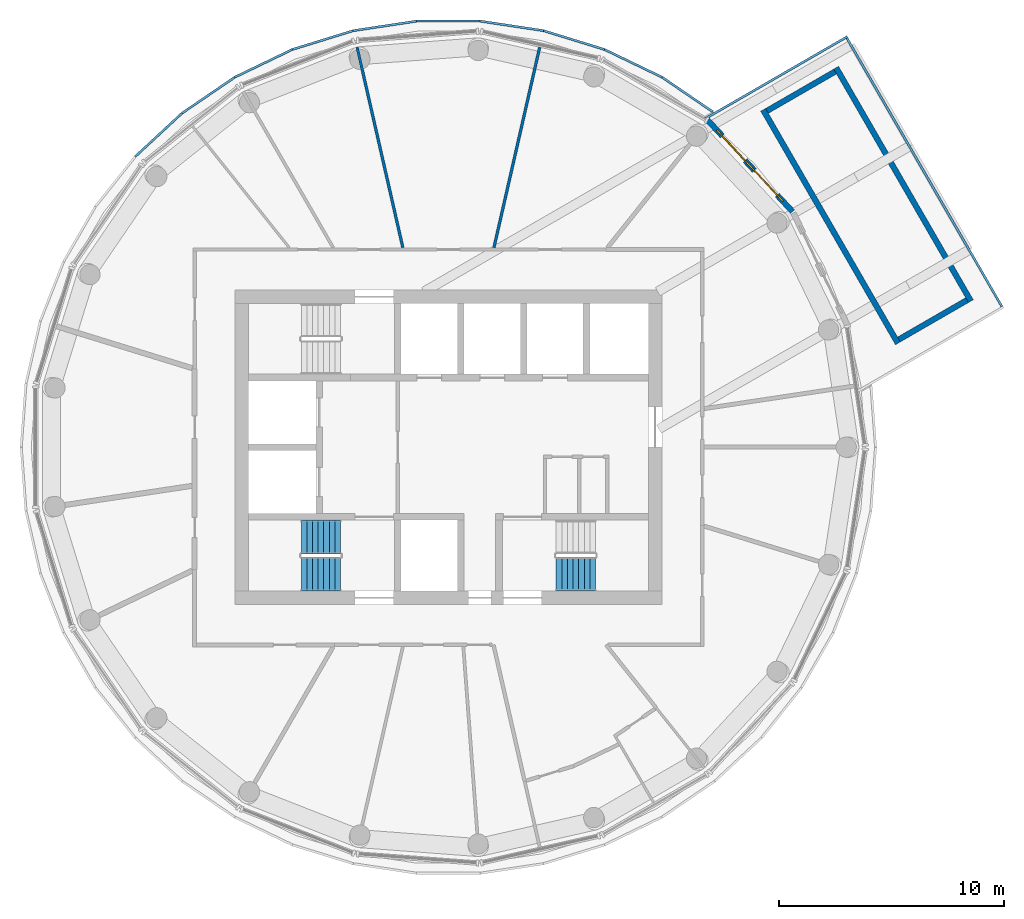
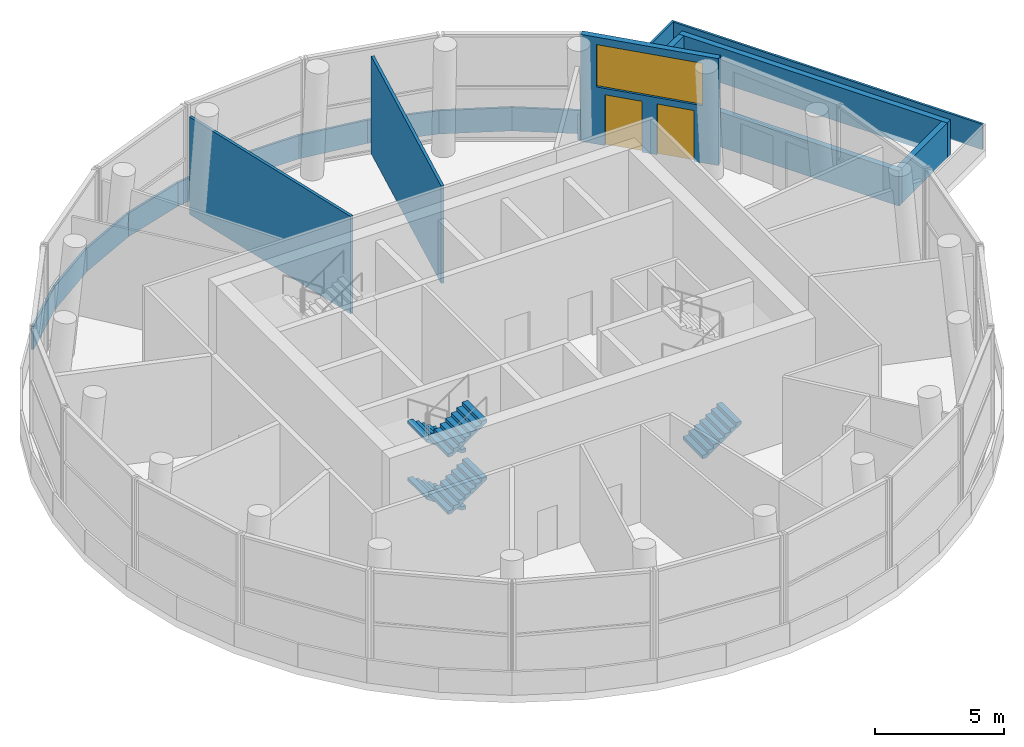
# One storey, part 7 of 10: 19 walls, 5 stair flights, 2 doors, 1 window, 3 openings, 2 elements without a shape of their own.
"""IFC4 building model written with IfcOpenShell, lengths in metres."""

from ifc_helpers import new_model, si_unit, direction, frame, frame_2d, origin, place, context, subcontext, project, spatial, polyline, rectangle, outline, extrude, material, layer, layer_set, type_object, element, fill, aggregate, save


model = new_model("IFC4")

# Units and contexts
model_context = context("Model", 3, precision=1e-05, world=origin(), true_north=direction((0.0, 1.0)))
body_context = subcontext(model_context, "Body", "Model", "MODEL_VIEW")
ifc_project = project(units=[si_unit("LENGTHUNIT", "METRE"), si_unit("AREAUNIT", "SQUARE_METRE"), si_unit("VOLUMEUNIT", "CUBIC_METRE"), si_unit("PLANEANGLEUNIT", "RADIAN"), si_unit("MASSUNIT", "GRAM", prefix="KILO")], contexts=[model_context])

# Site, building, storey
site_placement = place(None, origin())
site = spatial("IfcSite", under=ifc_project, at=site_placement, CompositionType="ELEMENT")
building_placement = place(site_placement, origin())
building = spatial("IfcBuilding", under=site, at=building_placement, Name="Tracery Tower", CompositionType="ELEMENT")
storey_placement = place(building_placement, frame((0.0, 0.0, 341.39990234375)))
storey = spatial("IfcBuildingStorey", under=building, at=storey_placement, Name="L88", CompositionType="ELEMENT", Elevation=341.39990234375)

# Walls
ifc_material_1 = material(Name="Tinted laminated glass", Category="glass")
ifc_layer_1 = layer(ifc_material_1, 0.10009765625)
ifc_layer_set_1 = layer_set([ifc_layer_1], Name="Crown ledge glass parapet 100")
wall_type_1 = type_object("IfcWallType", Name="Crown ledge glass parapet 100", PredefinedType="PARAPET", material=ifc_layer_set_1)
wall_1_placement = place(storey_placement, frame((11.76806640625, 14.934814453125, 0.0), z_axis=(0.0, 0.0, 1.0), x_axis=(-0.826248177246, 0.563306266251, 0.0)))
element("IfcWall", 1, at=wall_1_placement, inside=storey, type_object=wall_type_1, Name="Crown ledge glass parapet L88 7", PredefinedType="PARAPET", context=body_context, shape_type="SweptSolid", body=[
    extrude(rectangle(XDim=2.72705078125, YDim=0.10009765625, at=frame_2d((1.363525390625, 0.0))), origin(), (0.0, 0.0, 1.0), 1.10009765625),
])
wall_2_placement = place(storey_placement, frame((9.5068359375, 16.4755859375, 0.0), z_axis=(0.0, 0.0, 1.0), x_axis=(-0.900963000242, 0.43389592323, 0.0)))
element("IfcWall", 2, at=wall_2_placement, inside=storey, type_object=wall_type_1, Name="Crown ledge glass parapet L88 8", PredefinedType="PARAPET", context=body_context, shape_type="SweptSolid", body=[
    extrude(rectangle(XDim=2.83349609375, YDim=0.10009765625, at=frame_2d((1.416748046875, 0.0))), origin(), (0.0, 0.0, 1.0), 1.10009765625),
])
wall_3_placement = place(storey_placement, frame((6.945068359375, 17.70849609375, 0.0), z_axis=(0.0, 0.0, 1.0), x_axis=(-0.955575728013, 0.294745700616, 0.0)))
element("IfcWall", 3, at=wall_3_placement, inside=storey, type_object=wall_type_1, Name="Crown ledge glass parapet L88 9", PredefinedType="PARAPET", context=body_context, shape_type="SweptSolid", body=[
    extrude(rectangle(XDim=2.833740234375, YDim=0.10009765625, at=frame_2d((1.4169921875, 0.0))), origin(), (0.0, 0.0, 1.0), 1.10009765625),
])
for number, where, z_axis, x_axis, name in (
    (4, (4.22802734375, 18.5458984375, 0.0), (0.0, 0.0, 1.0), (-0.988827380621, 0.149065124475, 0.0), "Crown ledge glass parapet L88 10"),
    (5, (1.416748046875, 18.968994140625, 0.0), (0.0, 0.0, 1.0), (-1.0, 0.0, 0.0), "Crown ledge glass parapet L88 11"),
    (6, (-1.42626953125, 18.96826171875, 0.0), (0.0, 0.0, 1.0), (-0.988827380621, -0.149065124475, 0.0), "Crown ledge glass parapet L88 12"),
):
    element("IfcWall", number, at=place(storey_placement, frame(where, z_axis=z_axis, x_axis=x_axis)), inside=storey, type_object=wall_type_1, Name=name, PredefinedType="PARAPET", context=body_context, shape_type="SweptSolid", body=[
        extrude(rectangle(XDim=2.83349609375, YDim=0.10009765625, at=frame_2d((1.416748046875, 0.0))), origin(), (0.0, 0.0, 1.0), 1.10009765625),
    ])
wall_4_placement = place(storey_placement, frame((-4.2373046875, 18.543701171875, 0.0), z_axis=(0.0, 0.0, 1.0), x_axis=(-0.955575728013, -0.294745700616, 0.0)))
element("IfcWall", 7, at=wall_4_placement, inside=storey, type_object=wall_type_1, Name="Crown ledge glass parapet L88 13", PredefinedType="PARAPET", context=body_context, shape_type="SweptSolid", body=[
    extrude(rectangle(XDim=2.833740234375, YDim=0.10009765625, at=frame_2d((1.4169921875, 0.0))), origin(), (0.0, 0.0, 1.0), 1.10009765625),
])
wall_5_placement = place(storey_placement, frame((-6.953857421875, 17.705078125, 0.0), z_axis=(0.0, 0.0, 1.0), x_axis=(-0.900963000242, -0.43389592323, 0.0)))
element("IfcWall", 8, at=wall_5_placement, inside=storey, type_object=wall_type_1, Name="Crown ledge glass parapet L88 14", PredefinedType="PARAPET", context=body_context, shape_type="SweptSolid", body=[
    extrude(rectangle(XDim=2.83349609375, YDim=0.10009765625, at=frame_2d((1.416748046875, 0.0))), origin(), (0.0, 0.0, 1.0), 1.10009765625),
])
for number, where, z_axis, x_axis, name in (
    (9, (-9.514892578125, 16.470947265625, 0.0), (0.0, 0.0, 1.0), (-0.826252861182, -0.563299395871, 0.0), "Crown ledge glass parapet L88 15"),
    (10, (-11.863525390625, 14.868896484375, 0.0), (0.0, 0.0, 1.0), (-0.733020526628, -0.680206518303, 0.0), "Crown ledge glass parapet L88 16"),
):
    element("IfcWall", number, at=place(storey_placement, frame(where, z_axis=z_axis, x_axis=x_axis)), inside=storey, type_object=wall_type_1, Name=name, PredefinedType="PARAPET", context=body_context, shape_type="SweptSolid", body=[
        extrude(rectangle(XDim=2.833740234375, YDim=0.10009765625, at=frame_2d((1.4169921875, 0.0))), origin(), (0.0, 0.0, 1.0), 1.10009765625),
    ])

# Wall, openings, window, doors
ifc_material_2 = material(Name="Precast concrete C50/60", Category="concrete")
ifc_layer_2 = layer(ifc_material_2, 0.25)
ifc_layer_set_2 = layer_set([ifc_layer_2], Name="Pool deck door bay wall 250")
wall_type_2 = type_object("IfcWallType", Name="Pool deck door bay wall 250", PredefinedType="STANDARD", material=ifc_layer_set_2)
wall_6_placement = place(storey_placement, frame((15.31787109375, 10.491455078125, 0.0), z_axis=(0.0, 0.0, 1.0), x_axis=(-0.680192893744, 0.733033169304, 0.0)))
wall_6 = element("IfcWall", 11, at=wall_6_placement, inside=storey, type_object=wall_type_2, Name="Pool deck door bay 3", PredefinedType="STANDARD", context=body_context, shape_type="SweptSolid", body=[
    extrude(rectangle(XDim=5.5859375, YDim=0.25, at=frame_2d((2.79296875, 0.0))), origin(), (0.0, 0.0, 1.0), 5.050048828125),
])
opening_1_placement = place(wall_6_placement, frame((0.992919921875, 0.0, 0.0)))
opening_1 = element("IfcOpeningElement", 12, at=opening_1_placement, cuts=wall_6, Name="Opening ED923", PredefinedType="OPENING", context=body_context, shape_type="SweptSolid", body=[
    extrude(rectangle(XDim=1.5, YDim=2.39990234375, at=frame_2d((0.75, 1.199951171875))), frame((0.0, 0.125, 0.0), z_axis=(0.0, -1.0, 0.0), x_axis=(1.0, 0.0, 0.0)), (0.0, 0.0, 1.0), 0.25),
])
opening_2_placement = place(wall_6_placement, frame((3.093017578125, 0.0, 0.0)))
opening_2 = element("IfcOpeningElement", 13, at=opening_2_placement, cuts=wall_6, Name="Opening ED924", PredefinedType="OPENING", context=body_context, shape_type="SweptSolid", body=[
    extrude(rectangle(XDim=1.5, YDim=2.39990234375, at=frame_2d((0.75, 1.199951171875))), frame((0.0, 0.125, 0.0), z_axis=(0.0, -1.0, 0.0), x_axis=(1.0, 0.0, 0.0)), (0.0, 0.0, 1.0), 0.25),
])
opening_3_placement = place(wall_6_placement, frame((0.64306640625, 0.0, 2.699951171875)))
opening_3 = element("IfcOpeningElement", 14, at=opening_3_placement, cuts=wall_6, Name="Opening EW822", PredefinedType="OPENING", context=body_context, shape_type="SweptSolid", body=[
    extrude(rectangle(XDim=4.300048828125, YDim=2.0, at=frame_2d((2.14990234375, 1.0))), frame((0.0, 0.125, 0.0), z_axis=(0.0, -1.0, 0.0), x_axis=(1.0, 0.0, 0.0)), (0.0, 0.0, 1.0), 0.25),
])
ifc_material_3 = material(Name="Aluminium frame with tinted double glazing", Category="aluminium")
window_type = type_object("IfcWindowType", Name="Pool bay glazed light 4300 x 2000", PartitioningType="SINGLE_PANEL", PredefinedType="WINDOW", material=ifc_material_3)
window_placement = place(opening_3_placement, origin())
window = element("IfcWindow", 15, at=window_placement, inside=storey, type_object=window_type, Name="Pool bay light EW822", OverallHeight=2.0, OverallWidth=4.300048828125, PartitioningType="SINGLE_PANEL", PredefinedType="WINDOW", context=body_context, shape_type="SweptSolid", body=[
    extrude(rectangle(XDim=4.300048828125, YDim=2.0, at=frame_2d((2.14990234375, 1.0))), frame((0.0, 0.030029296875, 0.0), z_axis=(0.0, -1.0, 0.0), x_axis=(1.0, 0.0, 0.0)), (0.0, 0.0, 1.0), 0.06005859375),
])
fill(opening_3, window)
ifc_material_4 = material(Name="Glazed aluminium door", Category="aluminium")
door_type = type_object("IfcDoorType", Name="Pool deck door 1500 x 2400", OperationType="NOTDEFINED", PredefinedType="DOOR", material=ifc_material_4)
door_1_placement = place(opening_1_placement, origin())
door_1 = element("IfcDoor", 16, at=door_1_placement, inside=storey, type_object=door_type, Name="Pool deck door ED923", OperationType="SLIDING_TO_LEFT", OverallHeight=2.39990234375, OverallWidth=1.5, PredefinedType="DOOR", context=body_context, shape_type="SweptSolid", body=[
    extrude(rectangle(XDim=1.5, YDim=2.39990234375, at=frame_2d((0.75, 1.199951171875))), frame((0.0, 0.02490234375, 0.0), z_axis=(0.0, -1.0, 0.0), x_axis=(1.0, 0.0, 0.0)), (0.0, 0.0, 1.0), 0.050048828125),
])
fill(opening_1, door_1)
door_2_placement = place(opening_2_placement, origin())
door_2 = element("IfcDoor", 17, at=door_2_placement, inside=storey, type_object=door_type, Name="Pool deck door ED924", OperationType="SLIDING_TO_RIGHT", OverallHeight=2.39990234375, OverallWidth=1.5, PredefinedType="DOOR", context=body_context, shape_type="SweptSolid", body=[
    extrude(rectangle(XDim=1.5, YDim=2.39990234375, at=frame_2d((0.75, 1.199951171875))), frame((0.0, 0.02490234375, 0.0), z_axis=(0.0, -1.0, 0.0), x_axis=(1.0, 0.0, 0.0)), (0.0, 0.0, 1.0), 0.050048828125),
])
fill(opening_2, door_2)

# Walls
ifc_material_5 = material(Name="Tinted laminated glass", Category="glass")
ifc_layer_3 = layer(ifc_material_5, 0.10009765625)
ifc_layer_set_3 = layer_set([ifc_layer_3], Name="Pool deck glass parapet 100")
wall_type_3 = type_object("IfcWallType", Name="Pool deck glass parapet 100", PredefinedType="PARAPET", material=ifc_layer_set_3)
wall_7_placement = place(storey_placement, frame((11.414794921875, 14.615478515625, 0.0), z_axis=(0.0, 0.0, 1.0), x_axis=(0.866024117471, 0.500002227954, 0.0)))
element("IfcWall", 18, at=wall_7_placement, inside=storey, type_object=wall_type_3, Name="Pool deck glass parapet 2", PredefinedType="PARAPET", context=body_context, shape_type="SweptSolid", body=[
    extrude(rectangle(XDim=7.3271484375, YDim=0.10009765625, at=frame_2d((3.66357421875, 0.0))), origin(), (0.0, 0.0, 1.0), 1.2001953125),
])
wall_8_placement = place(storey_placement, frame((24.641845703125, 6.259521484375, 0.0), z_axis=(0.0, 0.0, 1.0), x_axis=(-0.499994024137, 0.866028853923, 0.0)))
element("IfcWall", 19, at=wall_8_placement, inside=storey, type_object=wall_type_3, Name="Pool deck glass parapet 3", PredefinedType="PARAPET", context=body_context, shape_type="SweptSolid", body=[
    extrude(rectangle(XDim=13.800048828125, YDim=0.10009765625, at=frame_2d((6.89990234375, 0.0))), origin(), (0.0, 0.0, 1.0), 1.2001953125),
])
ifc_material_6 = material(Name="Concrete C40/50", Category="concrete")
ifc_layer_4 = layer(ifc_material_6, 0.25)
ifc_layer_set_4 = layer_set([ifc_layer_4], Name="Pool tank wall 250")
wall_type_4 = type_object("IfcWallType", Name="Pool tank wall 250", PredefinedType="STANDARD", material=ifc_layer_set_4)
for number, where, z_axis, x_axis, name in (
    (20, (20.01318359375, 4.62646484375, 0.0), (0.0, 0.0, 1.0), (-0.49999894854, 0.866026010844, 0.0), "Pool tank wall inner"),
    (21, (23.260986328125, 6.50146484375, 0.0), (0.0, 0.0, 1.0), (-0.49999894854, 0.866026010844, 0.0), "Pool tank wall outer"),
):
    element("IfcWall", number, at=place(storey_placement, frame(where, z_axis=z_axis, x_axis=x_axis)), inside=storey, type_object=wall_type_4, Name=name, PredefinedType="STANDARD", context=body_context, shape_type="SweptSolid", body=[
        extrude(rectangle(XDim=12.0, YDim=0.25, at=frame_2d((6.0, 0.0))), origin(), (0.0, 0.0, 1.0), 1.650146484375),
    ])
for number, where, z_axis, x_axis, name in (
    (22, (20.05908203125, 4.797119140625, 0.0), (0.0, 0.0, 1.0), (0.866019471182, 0.500010275428, 0.0), "Pool tank wall end 1"),
    (23, (14.18408203125, 14.972900390625, 0.0), (0.0, 0.0, 1.0), (0.866019471182, 0.500010275428, 0.0), "Pool tank wall end 2"),
):
    element("IfcWall", number, at=place(storey_placement, frame(where, z_axis=z_axis, x_axis=x_axis)), inside=storey, type_object=wall_type_4, Name=name, PredefinedType="STANDARD", context=body_context, shape_type="SweptSolid", body=[
        extrude(rectangle(XDim=3.5, YDim=0.25, at=frame_2d((1.75, 0.0))), origin(), (0.0, 0.0, 1.0), 1.650146484375),
    ])
ifc_material_7 = material(Name="Plasterboard on steel studs", Category="steel")
ifc_layer_5 = layer(ifc_material_7, 0.125)
ifc_layer_set_5 = layer_set([ifc_layer_5], Name="Wet area partition 125")
wall_type_5 = type_object("IfcWallType", Name="Wet area partition 125", PredefinedType="PARTITIONING", material=ifc_layer_set_5)
for number, where, z_axis, x_axis, name in (
    (24, (-4.06591796875, 17.813232421875, 0.0), (0.0, 0.0, 1.0), (0.222556326308, -0.974919833433, 0.0), "Wet area partition 125"),
    (25, (4.06591796875, 17.813232421875, 0.0), (0.0, 0.0, 1.0), (-0.222556326308, -0.974919833433, 0.0), "Wet area partition 125"),
):
    element("IfcWall", number, at=place(storey_placement, frame(where, z_axis=z_axis, x_axis=x_axis)), inside=storey, type_object=wall_type_5, Name=name, PredefinedType="PARTITIONING", context=body_context, shape_type="SweptSolid", body=[
        extrude(rectangle(XDim=9.160888671875, YDim=0.125, at=frame_2d((4.58056640625, 0.0))), origin(), (0.0, 0.0, 1.0), 4.60009765625),
    ])

# Stair, stair flights
ifc_material_8 = material(Name="Concrete C32/40", Category="concrete")
stair_type = type_object("IfcStairType", Name="Core stair 32 risers", PredefinedType="HALF_TURN_STAIR", material=ifc_material_8)
stair_1_placement = place(storey_placement, origin())
stair_1 = element("IfcStair", 26, at=stair_1_placement, inside=storey, type_object=stair_type, Name="L88 stair ST1", PredefinedType="HALF_TURN_STAIR")
ifc_material_9 = material(Name="Concrete C32/40", Category="concrete")
stair_flight_type = type_object("IfcStairFlightType", Name="Core stair flight 8 risers", PredefinedType="STRAIGHT", material=ifc_material_9)
stair_flight_1_placement = place(storey_placement, frame((-4.800048828125, -4.0, 0.0), z_axis=(0.0, 0.0, 1.0), x_axis=(-1.0, 0.0, 0.0)))
stair_flight_1 = element("IfcStairFlight", 27, at=stair_flight_1_placement, type_object=stair_flight_type, Name="ST1 flight 1", NumberOfRisers=8, NumberOfTreads=7, PredefinedType="STRAIGHT", RiserHeight=0.16875, TreadLength=0.25, context=body_context, shape_type="SweptSolid", body=[
    extrude(outline(polyline([(0.0, 0.0), (0.0, 0.002685546875), (0.0, 0.005615234375), (0.0, 0.00830078125), (0.0, 0.010986328125), (0.0, 0.013916015625), (0.0, 0.0166015625), (0.0, 0.019287109375), (0.0, 0.022216796875), (0.0, 0.02490234375), (0.0, 0.027587890625), (0.0, 0.030517578125), (0.0, 0.033203125), (0.0, 0.035888671875), (0.0, 0.038818359375), (0.0, 0.04150390625), (0.0, 0.044189453125), (0.0, 0.047119140625), (0.0, 0.0498046875), (0.0, 0.052490234375), (0.0, 0.055419921875), (0.0, 0.05810546875), (0.0, 0.060791015625), (0.0, 0.063720703125), (0.0, 0.06640625), (0.0, 0.069091796875), (0.0, 0.072021484375), (0.0, 0.07470703125), (0.0, 0.077392578125), (0.0, 0.080322265625), (0.0, 0.0830078125), (0.0, 0.085693359375), (0.0, 0.088623046875), (0.0, 0.09130859375), (0.0, 0.093994140625), (0.0, 0.096923828125), (0.0, 0.099609375), (0.0, 0.102294921875), (0.0, 0.105224609375), (0.0, 0.10791015625), (0.0, 0.110595703125), (0.0, 0.113525390625), (0.0, 0.1162109375), (0.0, 0.118896484375), (0.0, 0.121826171875), (0.0, 0.12451171875), (0.0, 0.127197265625), (0.0, 0.130126953125), (0.0, 0.1328125), (0.0, 0.135498046875), (0.0, 0.138427734375), (0.0, 0.14111328125), (0.0, 0.143798828125), (0.0, 0.146728515625), (0.0, 0.1494140625), (0.0, 0.152099609375), (0.0, 0.155029296875), (0.0, 0.15771484375), (0.0, 0.160400390625), (0.0, 0.163330078125), (0.0, 0.166015625), (0.0, 0.168701171875), (0.25, 0.168701171875), (0.25, 0.33740234375), (0.5, 0.33740234375), (0.5, 0.50634765625), (0.75, 0.50634765625), (0.75, 0.675048828125), (1.0, 0.675048828125), (1.0, 0.84375), (1.25, 0.84375), (1.25, 1.012451171875), (1.5, 1.012451171875), (1.5, 1.18115234375), (1.75, 1.18115234375), (1.75, 1.17919921875), (1.75, 1.17724609375), (1.75, 1.17529296875), (1.75, 1.17333984375), (1.75, 1.17138671875), (1.75, 1.16943359375), (1.75, 1.16748046875), (1.75, 1.16552734375), (1.75, 1.163330078125), (1.75, 1.161376953125), (1.75, 1.159423828125), (1.75, 1.157470703125), (1.75, 1.155517578125), (1.75, 1.153564453125), (1.75, 1.151611328125), (1.75, 1.149658203125), (1.75, 1.147705078125), (1.75, 1.1455078125), (1.75, 1.1435546875), (1.75, 1.1416015625), (1.75, 1.1396484375), (1.75, 1.1376953125), (1.75, 1.1357421875), (1.75, 1.1337890625), (1.75, 1.1318359375), (1.75, 1.1298828125), (1.75, 1.127685546875), (1.75, 1.125732421875), (1.75, 1.123779296875), (1.75, 1.121826171875), (1.75, 1.119873046875), (1.75, 1.117919921875), (1.75, 1.115966796875), (1.75, 1.114013671875), (1.75, 1.112060546875), (1.75, 1.10986328125), (1.75, 1.10791015625), (1.75, 1.10595703125), (1.75, 1.10400390625), (1.75, 1.10205078125), (1.75, 1.10009765625), (1.75, 1.09814453125), (1.75, 1.09619140625), (1.75, 1.09423828125), (1.75, 1.092041015625), (1.75, 1.090087890625), (1.75, 1.088134765625), (1.75, 1.086181640625), (1.75, 1.084228515625), (1.75, 1.082275390625), (1.75, 1.080322265625), (1.75, 1.078369140625), (1.75, 1.076416015625), (1.75, 1.074462890625), (1.75, 1.072265625), (1.75, 1.0703125), (1.75, 1.068359375), (1.75, 1.06640625), (1.75, 1.064453125), (1.75, 1.0625), (1.75, 1.060546875), (0.178955078125, 0.0), (0.0, 0.0)])), frame((0.0, 0.75, 0.0), z_axis=(0.0, -1.0, 0.0), x_axis=(1.0, 0.0, 0.0)), (0.0, 0.0, 1.0), 1.5),
])
stair_flight_2_placement = place(storey_placement, frame((-6.550048828125, -5.64990234375, 1.35009765625), z_axis=(0.0, 0.0, 1.0), x_axis=(1.0, 0.0, 0.0)))
stair_flight_2 = element("IfcStairFlight", 28, at=stair_flight_2_placement, type_object=stair_flight_type, Name="ST1 flight 2", NumberOfRisers=8, NumberOfTreads=7, PredefinedType="STRAIGHT", RiserHeight=0.16875, TreadLength=0.25, context=body_context, shape_type="SweptSolid", body=[
    extrude(outline(polyline([(0.0, 0.0), (0.0, 0.002685546875), (0.0, 0.005615234375), (0.0, 0.00830078125), (0.0, 0.010986328125), (0.0, 0.013916015625), (0.0, 0.0166015625), (0.0, 0.019287109375), (0.0, 0.022216796875), (0.0, 0.02490234375), (0.0, 0.027587890625), (0.0, 0.030517578125), (0.0, 0.033203125), (0.0, 0.035888671875), (0.0, 0.038818359375), (0.0, 0.04150390625), (0.0, 0.044189453125), (0.0, 0.047119140625), (0.0, 0.0498046875), (0.0, 0.052490234375), (0.0, 0.055419921875), (0.0, 0.05810546875), (0.0, 0.060791015625), (0.0, 0.063720703125), (0.0, 0.06640625), (0.0, 0.069091796875), (0.0, 0.072021484375), (0.0, 0.07470703125), (0.0, 0.077392578125), (0.0, 0.080322265625), (0.0, 0.0830078125), (0.0, 0.085693359375), (0.0, 0.088623046875), (0.0, 0.09130859375), (0.0, 0.093994140625), (0.0, 0.096923828125), (0.0, 0.099609375), (0.0, 0.102294921875), (0.0, 0.105224609375), (0.0, 0.10791015625), (0.0, 0.110595703125), (0.0, 0.113525390625), (0.0, 0.1162109375), (0.0, 0.118896484375), (0.0, 0.121826171875), (0.0, 0.12451171875), (0.0, 0.127197265625), (0.0, 0.130126953125), (0.0, 0.1328125), (0.0, 0.135498046875), (0.0, 0.138427734375), (0.0, 0.14111328125), (0.0, 0.143798828125), (0.0, 0.146728515625), (0.0, 0.1494140625), (0.0, 0.152099609375), (0.0, 0.155029296875), (0.0, 0.15771484375), (0.0, 0.160400390625), (0.0, 0.163330078125), (0.0, 0.166015625), (0.0, 0.168701171875), (0.25, 0.168701171875), (0.25, 0.33740234375), (0.5, 0.33740234375), (0.5, 0.50634765625), (0.75, 0.50634765625), (0.75, 0.675048828125), (1.0, 0.675048828125), (1.0, 0.84375), (1.25, 0.84375), (1.25, 1.012451171875), (1.5, 1.012451171875), (1.5, 1.18115234375), (1.75, 1.18115234375), (1.75, 1.17919921875), (1.75, 1.17724609375), (1.75, 1.17529296875), (1.75, 1.17333984375), (1.75, 1.17138671875), (1.75, 1.16943359375), (1.75, 1.16748046875), (1.75, 1.16552734375), (1.75, 1.163330078125), (1.75, 1.161376953125), (1.75, 1.159423828125), (1.75, 1.157470703125), (1.75, 1.155517578125), (1.75, 1.153564453125), (1.75, 1.151611328125), (1.75, 1.149658203125), (1.75, 1.147705078125), (1.75, 1.1455078125), (1.75, 1.1435546875), (1.75, 1.1416015625), (1.75, 1.1396484375), (1.75, 1.1376953125), (1.75, 1.1357421875), (1.75, 1.1337890625), (1.75, 1.1318359375), (1.75, 1.1298828125), (1.75, 1.127685546875), (1.75, 1.125732421875), (1.75, 1.123779296875), (1.75, 1.121826171875), (1.75, 1.119873046875), (1.75, 1.117919921875), (1.75, 1.115966796875), (1.75, 1.114013671875), (1.75, 1.112060546875), (1.75, 1.10986328125), (1.75, 1.10791015625), (1.75, 1.10595703125), (1.75, 1.10400390625), (1.75, 1.10205078125), (1.75, 1.10009765625), (1.75, 1.09814453125), (1.75, 1.09619140625), (1.75, 1.09423828125), (1.75, 1.092041015625), (1.75, 1.090087890625), (1.75, 1.088134765625), (1.75, 1.086181640625), (1.75, 1.084228515625), (1.75, 1.082275390625), (1.75, 1.080322265625), (1.75, 1.078369140625), (1.75, 1.076416015625), (1.75, 1.074462890625), (1.75, 1.072265625), (1.75, 1.0703125), (1.75, 1.068359375), (1.75, 1.06640625), (1.75, 1.064453125), (1.75, 1.0625), (1.75, 1.060546875), (0.178955078125, 0.0), (0.0, 0.0)])), frame((0.0, 0.75, 0.0), z_axis=(0.0, -1.0, 0.0), x_axis=(1.0, 0.0, 0.0)), (0.0, 0.0, 1.0), 1.5),
])
stair_flight_3_placement = place(storey_placement, frame((-4.800048828125, -4.0, 2.7001953125), z_axis=(0.0, 0.0, 1.0), x_axis=(-1.0, 0.0, 0.0)))
stair_flight_3 = element("IfcStairFlight", 29, at=stair_flight_3_placement, type_object=stair_flight_type, Name="ST1 flight 3", NumberOfRisers=8, NumberOfTreads=7, PredefinedType="STRAIGHT", RiserHeight=0.16875, TreadLength=0.25, context=body_context, shape_type="SweptSolid", body=[
    extrude(outline(polyline([(0.0, 0.0), (0.0, 0.002685546875), (0.0, 0.005615234375), (0.0, 0.00830078125), (0.0, 0.010986328125), (0.0, 0.013916015625), (0.0, 0.0166015625), (0.0, 0.019287109375), (0.0, 0.022216796875), (0.0, 0.02490234375), (0.0, 0.027587890625), (0.0, 0.030517578125), (0.0, 0.033203125), (0.0, 0.035888671875), (0.0, 0.038818359375), (0.0, 0.04150390625), (0.0, 0.044189453125), (0.0, 0.047119140625), (0.0, 0.0498046875), (0.0, 0.052490234375), (0.0, 0.055419921875), (0.0, 0.05810546875), (0.0, 0.060791015625), (0.0, 0.063720703125), (0.0, 0.06640625), (0.0, 0.069091796875), (0.0, 0.072021484375), (0.0, 0.07470703125), (0.0, 0.077392578125), (0.0, 0.080322265625), (0.0, 0.0830078125), (0.0, 0.085693359375), (0.0, 0.088623046875), (0.0, 0.09130859375), (0.0, 0.093994140625), (0.0, 0.096923828125), (0.0, 0.099609375), (0.0, 0.102294921875), (0.0, 0.105224609375), (0.0, 0.10791015625), (0.0, 0.110595703125), (0.0, 0.113525390625), (0.0, 0.1162109375), (0.0, 0.118896484375), (0.0, 0.121826171875), (0.0, 0.12451171875), (0.0, 0.127197265625), (0.0, 0.130126953125), (0.0, 0.1328125), (0.0, 0.135498046875), (0.0, 0.138427734375), (0.0, 0.14111328125), (0.0, 0.143798828125), (0.0, 0.146728515625), (0.0, 0.1494140625), (0.0, 0.152099609375), (0.0, 0.155029296875), (0.0, 0.15771484375), (0.0, 0.160400390625), (0.0, 0.163330078125), (0.0, 0.166015625), (0.0, 0.168701171875), (0.25, 0.168701171875), (0.25, 0.33740234375), (0.5, 0.33740234375), (0.5, 0.50634765625), (0.75, 0.50634765625), (0.75, 0.675048828125), (1.0, 0.675048828125), (1.0, 0.84375), (1.25, 0.84375), (1.25, 1.012451171875), (1.5, 1.012451171875), (1.5, 1.18115234375), (1.75, 1.18115234375), (1.75, 1.17919921875), (1.75, 1.17724609375), (1.75, 1.17529296875), (1.75, 1.17333984375), (1.75, 1.17138671875), (1.75, 1.16943359375), (1.75, 1.16748046875), (1.75, 1.16552734375), (1.75, 1.163330078125), (1.75, 1.161376953125), (1.75, 1.159423828125), (1.75, 1.157470703125), (1.75, 1.155517578125), (1.75, 1.153564453125), (1.75, 1.151611328125), (1.75, 1.149658203125), (1.75, 1.147705078125), (1.75, 1.1455078125), (1.75, 1.1435546875), (1.75, 1.1416015625), (1.75, 1.1396484375), (1.75, 1.1376953125), (1.75, 1.1357421875), (1.75, 1.1337890625), (1.75, 1.1318359375), (1.75, 1.1298828125), (1.75, 1.127685546875), (1.75, 1.125732421875), (1.75, 1.123779296875), (1.75, 1.121826171875), (1.75, 1.119873046875), (1.75, 1.117919921875), (1.75, 1.115966796875), (1.75, 1.114013671875), (1.75, 1.112060546875), (1.75, 1.10986328125), (1.75, 1.10791015625), (1.75, 1.10595703125), (1.75, 1.10400390625), (1.75, 1.10205078125), (1.75, 1.10009765625), (1.75, 1.09814453125), (1.75, 1.09619140625), (1.75, 1.09423828125), (1.75, 1.092041015625), (1.75, 1.090087890625), (1.75, 1.088134765625), (1.75, 1.086181640625), (1.75, 1.084228515625), (1.75, 1.082275390625), (1.75, 1.080322265625), (1.75, 1.078369140625), (1.75, 1.076416015625), (1.75, 1.074462890625), (1.75, 1.072265625), (1.75, 1.0703125), (1.75, 1.068359375), (1.75, 1.06640625), (1.75, 1.064453125), (1.75, 1.0625), (1.75, 1.060546875), (0.178955078125, 0.0), (0.0, 0.0)])), frame((0.0, 0.75, 0.0), z_axis=(0.0, -1.0, 0.0), x_axis=(1.0, 0.0, 0.0)), (0.0, 0.0, 1.0), 1.5),
])
stair_flight_4_placement = place(storey_placement, frame((-6.550048828125, -5.64990234375, 4.050048828125), z_axis=(0.0, 0.0, 1.0), x_axis=(1.0, 0.0, 0.0)))
stair_flight_4 = element("IfcStairFlight", 30, at=stair_flight_4_placement, type_object=stair_flight_type, Name="ST1 flight 4", NumberOfRisers=8, NumberOfTreads=7, PredefinedType="STRAIGHT", RiserHeight=0.16875, TreadLength=0.25, context=body_context, shape_type="SweptSolid", body=[
    extrude(outline(polyline([(0.0, 0.0), (0.0, 0.002685546875), (0.0, 0.005615234375), (0.0, 0.00830078125), (0.0, 0.010986328125), (0.0, 0.013916015625), (0.0, 0.0166015625), (0.0, 0.019287109375), (0.0, 0.022216796875), (0.0, 0.02490234375), (0.0, 0.027587890625), (0.0, 0.030517578125), (0.0, 0.033203125), (0.0, 0.035888671875), (0.0, 0.038818359375), (0.0, 0.04150390625), (0.0, 0.044189453125), (0.0, 0.047119140625), (0.0, 0.0498046875), (0.0, 0.052490234375), (0.0, 0.055419921875), (0.0, 0.05810546875), (0.0, 0.060791015625), (0.0, 0.063720703125), (0.0, 0.06640625), (0.0, 0.069091796875), (0.0, 0.072021484375), (0.0, 0.07470703125), (0.0, 0.077392578125), (0.0, 0.080322265625), (0.0, 0.0830078125), (0.0, 0.085693359375), (0.0, 0.088623046875), (0.0, 0.09130859375), (0.0, 0.093994140625), (0.0, 0.096923828125), (0.0, 0.099609375), (0.0, 0.102294921875), (0.0, 0.105224609375), (0.0, 0.10791015625), (0.0, 0.110595703125), (0.0, 0.113525390625), (0.0, 0.1162109375), (0.0, 0.118896484375), (0.0, 0.121826171875), (0.0, 0.12451171875), (0.0, 0.127197265625), (0.0, 0.130126953125), (0.0, 0.1328125), (0.0, 0.135498046875), (0.0, 0.138427734375), (0.0, 0.14111328125), (0.0, 0.143798828125), (0.0, 0.146728515625), (0.0, 0.1494140625), (0.0, 0.152099609375), (0.0, 0.155029296875), (0.0, 0.15771484375), (0.0, 0.160400390625), (0.0, 0.163330078125), (0.0, 0.166015625), (0.0, 0.168701171875), (0.25, 0.168701171875), (0.25, 0.33740234375), (0.5, 0.33740234375), (0.5, 0.50634765625), (0.75, 0.50634765625), (0.75, 0.675048828125), (1.0, 0.675048828125), (1.0, 0.84375), (1.25, 0.84375), (1.25, 1.012451171875), (1.5, 1.012451171875), (1.5, 1.18115234375), (1.75, 1.18115234375), (1.75, 1.17919921875), (1.75, 1.17724609375), (1.75, 1.17529296875), (1.75, 1.17333984375), (1.75, 1.17138671875), (1.75, 1.16943359375), (1.75, 1.16748046875), (1.75, 1.16552734375), (1.75, 1.163330078125), (1.75, 1.161376953125), (1.75, 1.159423828125), (1.75, 1.157470703125), (1.75, 1.155517578125), (1.75, 1.153564453125), (1.75, 1.151611328125), (1.75, 1.149658203125), (1.75, 1.147705078125), (1.75, 1.1455078125), (1.75, 1.1435546875), (1.75, 1.1416015625), (1.75, 1.1396484375), (1.75, 1.1376953125), (1.75, 1.1357421875), (1.75, 1.1337890625), (1.75, 1.1318359375), (1.75, 1.1298828125), (1.75, 1.127685546875), (1.75, 1.125732421875), (1.75, 1.123779296875), (1.75, 1.121826171875), (1.75, 1.119873046875), (1.75, 1.117919921875), (1.75, 1.115966796875), (1.75, 1.114013671875), (1.75, 1.112060546875), (1.75, 1.10986328125), (1.75, 1.10791015625), (1.75, 1.10595703125), (1.75, 1.10400390625), (1.75, 1.10205078125), (1.75, 1.10009765625), (1.75, 1.09814453125), (1.75, 1.09619140625), (1.75, 1.09423828125), (1.75, 1.092041015625), (1.75, 1.090087890625), (1.75, 1.088134765625), (1.75, 1.086181640625), (1.75, 1.084228515625), (1.75, 1.082275390625), (1.75, 1.080322265625), (1.75, 1.078369140625), (1.75, 1.076416015625), (1.75, 1.074462890625), (1.75, 1.072265625), (1.75, 1.0703125), (1.75, 1.068359375), (1.75, 1.06640625), (1.75, 1.064453125), (1.75, 1.0625), (1.75, 1.060546875), (0.178955078125, 0.0), (0.0, 0.0)])), frame((0.0, 0.75, 0.0), z_axis=(0.0, -1.0, 0.0), x_axis=(1.0, 0.0, 0.0)), (0.0, 0.0, 1.0), 1.5),
])
aggregate(stair_1, [stair_flight_1, stair_flight_2, stair_flight_3, stair_flight_4])

# Stair, stair flight
stair_2_placement = place(storey_placement, origin())
stair_2 = element("IfcStair", 31, at=stair_2_placement, inside=storey, type_object=stair_type, Name="L88 stair ST2", PredefinedType="HALF_TURN_STAIR")
stair_flight_5_placement = place(storey_placement, frame((4.800048828125, -5.64990234375, 0.0), z_axis=(0.0, 0.0, 1.0), x_axis=(1.0, 0.0, 0.0)))
stair_flight_5 = element("IfcStairFlight", 32, at=stair_flight_5_placement, type_object=stair_flight_type, Name="ST2 flight 1", NumberOfRisers=8, NumberOfTreads=7, PredefinedType="STRAIGHT", RiserHeight=0.16875, TreadLength=0.25, context=body_context, shape_type="SweptSolid", body=[
    extrude(outline(polyline([(0.0, 0.0), (0.0, 0.002685546875), (0.0, 0.005615234375), (0.0, 0.00830078125), (0.0, 0.010986328125), (0.0, 0.013916015625), (0.0, 0.0166015625), (0.0, 0.019287109375), (0.0, 0.022216796875), (0.0, 0.02490234375), (0.0, 0.027587890625), (0.0, 0.030517578125), (0.0, 0.033203125), (0.0, 0.035888671875), (0.0, 0.038818359375), (0.0, 0.04150390625), (0.0, 0.044189453125), (0.0, 0.047119140625), (0.0, 0.0498046875), (0.0, 0.052490234375), (0.0, 0.055419921875), (0.0, 0.05810546875), (0.0, 0.060791015625), (0.0, 0.063720703125), (0.0, 0.06640625), (0.0, 0.069091796875), (0.0, 0.072021484375), (0.0, 0.07470703125), (0.0, 0.077392578125), (0.0, 0.080322265625), (0.0, 0.0830078125), (0.0, 0.085693359375), (0.0, 0.088623046875), (0.0, 0.09130859375), (0.0, 0.093994140625), (0.0, 0.096923828125), (0.0, 0.099609375), (0.0, 0.102294921875), (0.0, 0.105224609375), (0.0, 0.10791015625), (0.0, 0.110595703125), (0.0, 0.113525390625), (0.0, 0.1162109375), (0.0, 0.118896484375), (0.0, 0.121826171875), (0.0, 0.12451171875), (0.0, 0.127197265625), (0.0, 0.130126953125), (0.0, 0.1328125), (0.0, 0.135498046875), (0.0, 0.138427734375), (0.0, 0.14111328125), (0.0, 0.143798828125), (0.0, 0.146728515625), (0.0, 0.1494140625), (0.0, 0.152099609375), (0.0, 0.155029296875), (0.0, 0.15771484375), (0.0, 0.160400390625), (0.0, 0.163330078125), (0.0, 0.166015625), (0.0, 0.168701171875), (0.25, 0.168701171875), (0.25, 0.33740234375), (0.5, 0.33740234375), (0.5, 0.50634765625), (0.75, 0.50634765625), (0.75, 0.675048828125), (1.0, 0.675048828125), (1.0, 0.84375), (1.25, 0.84375), (1.25, 1.012451171875), (1.5, 1.012451171875), (1.5, 1.18115234375), (1.75, 1.18115234375), (1.75, 1.17919921875), (1.75, 1.17724609375), (1.75, 1.17529296875), (1.75, 1.17333984375), (1.75, 1.17138671875), (1.75, 1.16943359375), (1.75, 1.16748046875), (1.75, 1.16552734375), (1.75, 1.163330078125), (1.75, 1.161376953125), (1.75, 1.159423828125), (1.75, 1.157470703125), (1.75, 1.155517578125), (1.75, 1.153564453125), (1.75, 1.151611328125), (1.75, 1.149658203125), (1.75, 1.147705078125), (1.75, 1.1455078125), (1.75, 1.1435546875), (1.75, 1.1416015625), (1.75, 1.1396484375), (1.75, 1.1376953125), (1.75, 1.1357421875), (1.75, 1.1337890625), (1.75, 1.1318359375), (1.75, 1.1298828125), (1.75, 1.127685546875), (1.75, 1.125732421875), (1.75, 1.123779296875), (1.75, 1.121826171875), (1.75, 1.119873046875), (1.75, 1.117919921875), (1.75, 1.115966796875), (1.75, 1.114013671875), (1.75, 1.112060546875), (1.75, 1.10986328125), (1.75, 1.10791015625), (1.75, 1.10595703125), (1.75, 1.10400390625), (1.75, 1.10205078125), (1.75, 1.10009765625), (1.75, 1.09814453125), (1.75, 1.09619140625), (1.75, 1.09423828125), (1.75, 1.092041015625), (1.75, 1.090087890625), (1.75, 1.088134765625), (1.75, 1.086181640625), (1.75, 1.084228515625), (1.75, 1.082275390625), (1.75, 1.080322265625), (1.75, 1.078369140625), (1.75, 1.076416015625), (1.75, 1.074462890625), (1.75, 1.072265625), (1.75, 1.0703125), (1.75, 1.068359375), (1.75, 1.06640625), (1.75, 1.064453125), (1.75, 1.0625), (1.75, 1.060546875), (0.178955078125, 0.0), (0.0, 0.0)])), frame((0.0, 0.75, 0.0), z_axis=(0.0, -1.0, 0.0), x_axis=(1.0, 0.0, 0.0)), (0.0, 0.0, 1.0), 1.5),
])
aggregate(stair_2, [stair_flight_5])

save(model, "model.ifc")
